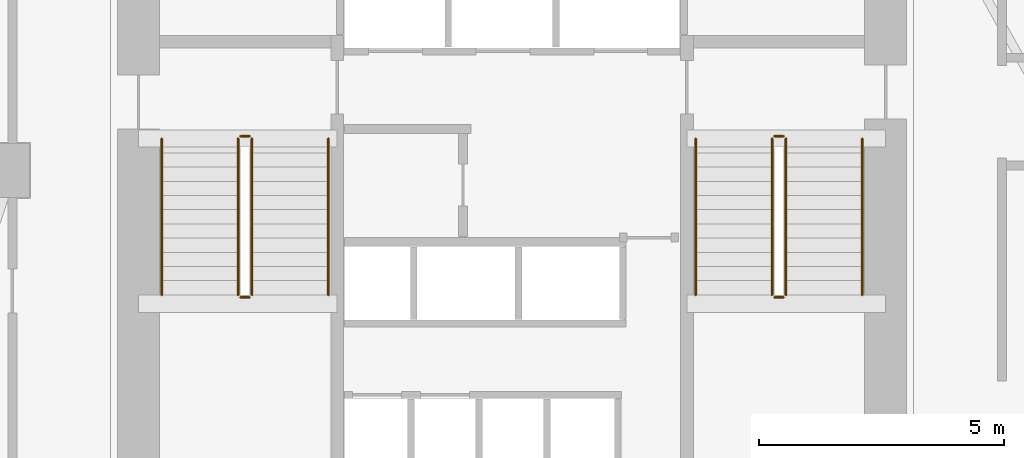
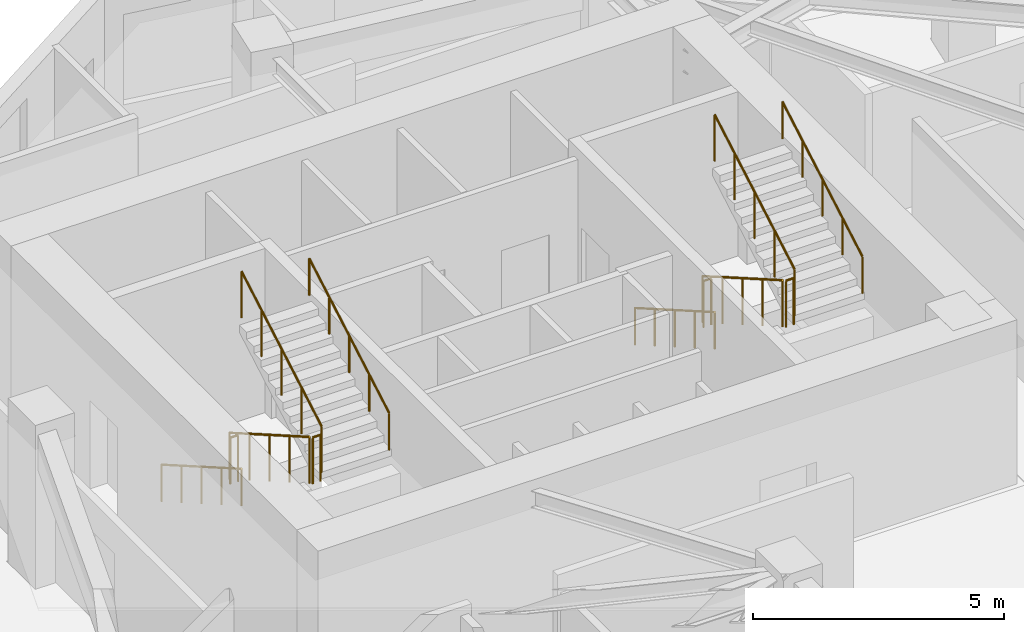
# One storey, part 11 of 12: 12 railings.
"""IFC4 building model written with IfcOpenShell, lengths in metres."""

from ifc_helpers import new_model, si_unit, direction, frame, origin, origin_2d, place, context, subcontext, project, spatial, circle, extrude, material, type_object, element, save


model = new_model("IFC4")

# Units and contexts
model_context = context("Model", 3, precision=1e-05, world=origin(), true_north=direction((0.0, 1.0)))
body_context = subcontext(model_context, "Body", "Model", "MODEL_VIEW")
ifc_project = project(units=[si_unit("LENGTHUNIT", "METRE"), si_unit("AREAUNIT", "SQUARE_METRE"), si_unit("VOLUMEUNIT", "CUBIC_METRE"), si_unit("PLANEANGLEUNIT", "RADIAN"), si_unit("MASSUNIT", "GRAM", prefix="KILO")], contexts=[model_context])

# Site, building, storey
site_placement = place(None, origin())
site = spatial("IfcSite", under=ifc_project, at=site_placement, CompositionType="ELEMENT")
building_placement = place(site_placement, origin())
building = spatial("IfcBuilding", under=site, at=building_placement, Name="Calvemar Wedge Station Tower", CompositionType="ELEMENT")
storey_placement = place(building_placement, frame((0.0, 0.0, 39.0)))
storey = spatial("IfcBuildingStorey", under=building, at=storey_placement, Name="L09", CompositionType="ELEMENT", Elevation=39.0)

# Railings
ifc_material_1 = material(Name="Stainless steel AISI 316L", Category="steel")
railing_type_1 = type_object("IfcRailingType", Name="RL-HANDRAIL-920", PredefinedType="HANDRAIL", material=ifc_material_1)
railing_1_placement = place(storey_placement, frame((16.64990234375, 41.14990234375, 0.166748046875)))
element("IfcRailing", 1, at=railing_1_placement, inside=storey, type_object=railing_type_1, Name="L09 ST-C1 stair handrail 1", PredefinedType="HANDRAIL", context=body_context, shape_type="SweptSolid", body=[
    extrude(circle(Radius=0.02392578125, at=origin_2d()), frame((0.0, 0.0, 0.89599609375), z_axis=(0.0, -0.867019545617, 0.498274128887), x_axis=(1.0, 0.0, 0.0)), (0.0, 0.0, 1.0), 3.67919921875),
    extrude(circle(Radius=0.02099609375, at=origin_2d()), origin(), (0.0, 0.0, 1.0), 0.871826171875),
    extrude(circle(Radius=0.02099609375, at=origin_2d()), frame((0.0, -0.79736328125, 0.458251953125)), (0.0, 0.0, 1.0), 0.871826171875),
    extrude(circle(Radius=0.02099609375, at=origin_2d()), frame((0.0, -1.594970703125, 0.91650390625)), (0.0, 0.0, 1.0), 0.871826171875),
    extrude(circle(Radius=0.02099609375, at=origin_2d()), frame((0.0, -2.392578125, 1.375)), (0.0, 0.0, 1.0), 0.871826171875),
    extrude(circle(Radius=0.02099609375, at=origin_2d()), frame((0.0, -3.18994140625, 1.833251953125)), (0.0, 0.0, 1.0), 0.871826171875),
])
railing_2_placement = place(storey_placement, frame((20.050048828125, 37.9599609375, 2.166748046875)))
element("IfcRailing", 2, at=railing_2_placement, inside=storey, type_object=railing_type_1, Name="L09 ST-C1 stair handrail 2", PredefinedType="HANDRAIL", context=body_context, shape_type="SweptSolid", body=[
    extrude(circle(Radius=0.02392578125, at=origin_2d()), frame((0.0, 0.0, 0.89599609375), z_axis=(0.0, 0.867019545617, 0.498274128887), x_axis=(-1.0, 0.0, 0.0)), (0.0, 0.0, 1.0), 3.67919921875),
    extrude(circle(Radius=0.02099609375, at=origin_2d()), origin(), (0.0, 0.0, 1.0), 0.871826171875),
    extrude(circle(Radius=0.02099609375, at=origin_2d()), frame((0.0, 0.79736328125, 0.458251953125)), (0.0, 0.0, 1.0), 0.871826171875),
    extrude(circle(Radius=0.02099609375, at=origin_2d()), frame((0.0, 1.594970703125, 0.91650390625)), (0.0, 0.0, 1.0), 0.871826171875),
    extrude(circle(Radius=0.02099609375, at=origin_2d()), frame((0.0, 2.392578125, 1.375)), (0.0, 0.0, 1.0), 0.871826171875),
    extrude(circle(Radius=0.02099609375, at=origin_2d()), frame((0.0, 3.18994140625, 1.833251953125)), (0.0, 0.0, 1.0), 0.871826171875),
])
railing_3_placement = place(storey_placement, frame((27.550048828125, 41.14990234375, 0.166748046875)))
element("IfcRailing", 3, at=railing_3_placement, inside=storey, type_object=railing_type_1, Name="L09 ST-C2 stair handrail 1", PredefinedType="HANDRAIL", context=body_context, shape_type="SweptSolid", body=[
    extrude(circle(Radius=0.02392578125, at=origin_2d()), frame((0.0, 0.0, 0.89599609375), z_axis=(0.0, -0.867019545617, 0.498274128887), x_axis=(1.0, 0.0, 0.0)), (0.0, 0.0, 1.0), 3.67919921875),
    extrude(circle(Radius=0.02099609375, at=origin_2d()), origin(), (0.0, 0.0, 1.0), 0.871826171875),
    extrude(circle(Radius=0.02099609375, at=origin_2d()), frame((0.0, -0.79736328125, 0.458251953125)), (0.0, 0.0, 1.0), 0.871826171875),
    extrude(circle(Radius=0.02099609375, at=origin_2d()), frame((0.0, -1.594970703125, 0.91650390625)), (0.0, 0.0, 1.0), 0.871826171875),
    extrude(circle(Radius=0.02099609375, at=origin_2d()), frame((0.0, -2.392578125, 1.375)), (0.0, 0.0, 1.0), 0.871826171875),
    extrude(circle(Radius=0.02099609375, at=origin_2d()), frame((0.0, -3.18994140625, 1.833251953125)), (0.0, 0.0, 1.0), 0.871826171875),
])
railing_4_placement = place(storey_placement, frame((30.949951171875, 37.9599609375, 2.166748046875)))
element("IfcRailing", 4, at=railing_4_placement, inside=storey, type_object=railing_type_1, Name="L09 ST-C2 stair handrail 2", PredefinedType="HANDRAIL", context=body_context, shape_type="SweptSolid", body=[
    extrude(circle(Radius=0.02392578125, at=origin_2d()), frame((0.0, 0.0, 0.89599609375), z_axis=(0.0, 0.867019545617, 0.498274128887), x_axis=(-1.0, 0.0, 0.0)), (0.0, 0.0, 1.0), 3.67919921875),
    extrude(circle(Radius=0.02099609375, at=origin_2d()), origin(), (0.0, 0.0, 1.0), 0.871826171875),
    extrude(circle(Radius=0.02099609375, at=origin_2d()), frame((0.0, 0.79736328125, 0.458251953125)), (0.0, 0.0, 1.0), 0.871826171875),
    extrude(circle(Radius=0.02099609375, at=origin_2d()), frame((0.0, 1.594970703125, 0.91650390625)), (0.0, 0.0, 1.0), 0.871826171875),
    extrude(circle(Radius=0.02099609375, at=origin_2d()), frame((0.0, 2.392578125, 1.375)), (0.0, 0.0, 1.0), 0.871826171875),
    extrude(circle(Radius=0.02099609375, at=origin_2d()), frame((0.0, 3.18994140625, 1.833251953125)), (0.0, 0.0, 1.0), 0.871826171875),
])
ifc_material_2 = material(Name="Painted steel guardrail ASTM A500 Grade C", Category="steel")
railing_type_2 = type_object("IfcRailingType", Name="RL-STAIR-GUARD-1150", PredefinedType="GUARDRAIL", material=ifc_material_2)
railing_5_placement = place(storey_placement, frame((18.2099609375, 41.14990234375, 0.166748046875)))
element("IfcRailing", 5, at=railing_5_placement, inside=storey, type_object=railing_type_2, Name="L09 ST-C1 stair guard 1", PredefinedType="GUARDRAIL", context=body_context, shape_type="SweptSolid", body=[
    extrude(circle(Radius=0.02392578125, at=origin_2d()), frame((0.0, 0.0, 1.1259765625), z_axis=(0.0, -0.867019545617, 0.498274128887), x_axis=(1.0, 0.0, 0.0)), (0.0, 0.0, 1.0), 3.67919921875),
    extrude(circle(Radius=0.02099609375, at=origin_2d()), origin(), (0.0, 0.0, 1.0), 1.101806640625),
    extrude(circle(Radius=0.02099609375, at=origin_2d()), frame((0.0, -0.79736328125, 0.458251953125)), (0.0, 0.0, 1.0), 1.101806640625),
    extrude(circle(Radius=0.02099609375, at=origin_2d()), frame((0.0, -1.594970703125, 0.91650390625)), (0.0, 0.0, 1.0), 1.101806640625),
    extrude(circle(Radius=0.02099609375, at=origin_2d()), frame((0.0, -2.392578125, 1.375)), (0.0, 0.0, 1.0), 1.101806640625),
    extrude(circle(Radius=0.02099609375, at=origin_2d()), frame((0.0, -3.18994140625, 1.833251953125)), (0.0, 0.0, 1.0), 1.101806640625),
])
railing_6_placement = place(storey_placement, frame((18.260009765625, 37.909912109375, 2.0)))
element("IfcRailing", 6, at=railing_6_placement, inside=storey, type_object=railing_type_2, Name="L09 ST-C1 stair guard 2", PredefinedType="GUARDRAIL", context=body_context, shape_type="SweptSolid", body=[
    extrude(circle(Radius=0.02392578125, at=origin_2d()), frame((0.0, 0.0, 1.1259765625), z_axis=(1.0, 0.0, 0.0), x_axis=(0.0, 1.0, 0.0)), (0.0, 0.0, 1.0), 0.179931640625),
    extrude(circle(Radius=0.02099609375, at=origin_2d()), origin(), (0.0, 0.0, 1.0), 1.101806640625),
    extrude(circle(Radius=0.02099609375, at=origin_2d()), frame((0.179931640625, 0.0, 0.0)), (0.0, 0.0, 1.0), 1.101806640625),
])
railing_7_placement = place(storey_placement, frame((18.489990234375, 37.9599609375, 2.166748046875)))
element("IfcRailing", 7, at=railing_7_placement, inside=storey, type_object=railing_type_2, Name="L09 ST-C1 stair guard 3", PredefinedType="GUARDRAIL", context=body_context, shape_type="SweptSolid", body=[
    extrude(circle(Radius=0.02392578125, at=origin_2d()), frame((0.0, 0.0, 1.1259765625), z_axis=(0.0, 0.867019545617, 0.498274128887), x_axis=(-1.0, 0.0, 0.0)), (0.0, 0.0, 1.0), 3.67919921875),
    extrude(circle(Radius=0.02099609375, at=origin_2d()), origin(), (0.0, 0.0, 1.0), 1.101806640625),
    extrude(circle(Radius=0.02099609375, at=origin_2d()), frame((0.0, 0.79736328125, 0.458251953125)), (0.0, 0.0, 1.0), 1.101806640625),
    extrude(circle(Radius=0.02099609375, at=origin_2d()), frame((0.0, 1.594970703125, 0.91650390625)), (0.0, 0.0, 1.0), 1.101806640625),
    extrude(circle(Radius=0.02099609375, at=origin_2d()), frame((0.0, 2.392578125, 1.375)), (0.0, 0.0, 1.0), 1.101806640625),
    extrude(circle(Radius=0.02099609375, at=origin_2d()), frame((0.0, 3.18994140625, 1.833251953125)), (0.0, 0.0, 1.0), 1.101806640625),
])
railing_8_placement = place(storey_placement, frame((18.260009765625, 41.199951171875, 0.0)))
element("IfcRailing", 8, at=railing_8_placement, inside=storey, type_object=railing_type_2, Name="L09 ST-C1 stair guard 4", PredefinedType="GUARDRAIL", context=body_context, shape_type="SweptSolid", body=[
    extrude(circle(Radius=0.02392578125, at=origin_2d()), frame((0.0, 0.0, 1.1259765625), z_axis=(1.0, 0.0, 0.0), x_axis=(0.0, 1.0, 0.0)), (0.0, 0.0, 1.0), 0.179931640625),
    extrude(circle(Radius=0.02099609375, at=origin_2d()), origin(), (0.0, 0.0, 1.0), 1.101806640625),
    extrude(circle(Radius=0.02099609375, at=origin_2d()), frame((0.179931640625, 0.0, 0.0)), (0.0, 0.0, 1.0), 1.101806640625),
])
railing_9_placement = place(storey_placement, frame((29.110107421875, 41.14990234375, 0.166748046875)))
element("IfcRailing", 9, at=railing_9_placement, inside=storey, type_object=railing_type_2, Name="L09 ST-C2 stair guard 1", PredefinedType="GUARDRAIL", context=body_context, shape_type="SweptSolid", body=[
    extrude(circle(Radius=0.02392578125, at=origin_2d()), frame((0.0, 0.0, 1.1259765625), z_axis=(0.0, -0.867019545617, 0.498274128887), x_axis=(1.0, 0.0, 0.0)), (0.0, 0.0, 1.0), 3.67919921875),
    extrude(circle(Radius=0.02099609375, at=origin_2d()), origin(), (0.0, 0.0, 1.0), 1.101806640625),
    extrude(circle(Radius=0.02099609375, at=origin_2d()), frame((0.0, -0.79736328125, 0.458251953125)), (0.0, 0.0, 1.0), 1.101806640625),
    extrude(circle(Radius=0.02099609375, at=origin_2d()), frame((0.0, -1.594970703125, 0.91650390625)), (0.0, 0.0, 1.0), 1.101806640625),
    extrude(circle(Radius=0.02099609375, at=origin_2d()), frame((0.0, -2.392578125, 1.375)), (0.0, 0.0, 1.0), 1.101806640625),
    extrude(circle(Radius=0.02099609375, at=origin_2d()), frame((0.0, -3.18994140625, 1.833251953125)), (0.0, 0.0, 1.0), 1.101806640625),
])
railing_10_placement = place(storey_placement, frame((29.159912109375, 37.909912109375, 2.0)))
element("IfcRailing", 10, at=railing_10_placement, inside=storey, type_object=railing_type_2, Name="L09 ST-C2 stair guard 2", PredefinedType="GUARDRAIL", context=body_context, shape_type="SweptSolid", body=[
    extrude(circle(Radius=0.02392578125, at=origin_2d()), frame((0.0, 0.0, 1.1259765625), z_axis=(1.0, 0.0, 0.0), x_axis=(0.0, 1.0, 0.0)), (0.0, 0.0, 1.0), 0.18017578125),
    extrude(circle(Radius=0.02099609375, at=origin_2d()), origin(), (0.0, 0.0, 1.0), 1.101806640625),
    extrude(circle(Radius=0.02099609375, at=origin_2d()), frame((0.18017578125, 0.0, 0.0)), (0.0, 0.0, 1.0), 1.101806640625),
])
railing_11_placement = place(storey_placement, frame((29.389892578125, 37.9599609375, 2.166748046875)))
element("IfcRailing", 11, at=railing_11_placement, inside=storey, type_object=railing_type_2, Name="L09 ST-C2 stair guard 3", PredefinedType="GUARDRAIL", context=body_context, shape_type="SweptSolid", body=[
    extrude(circle(Radius=0.02392578125, at=origin_2d()), frame((0.0, 0.0, 1.1259765625), z_axis=(0.0, 0.867019545617, 0.498274128887), x_axis=(-1.0, 0.0, 0.0)), (0.0, 0.0, 1.0), 3.67919921875),
    extrude(circle(Radius=0.02099609375, at=origin_2d()), origin(), (0.0, 0.0, 1.0), 1.101806640625),
    extrude(circle(Radius=0.02099609375, at=origin_2d()), frame((0.0, 0.79736328125, 0.458251953125)), (0.0, 0.0, 1.0), 1.101806640625),
    extrude(circle(Radius=0.02099609375, at=origin_2d()), frame((0.0, 1.594970703125, 0.91650390625)), (0.0, 0.0, 1.0), 1.101806640625),
    extrude(circle(Radius=0.02099609375, at=origin_2d()), frame((0.0, 2.392578125, 1.375)), (0.0, 0.0, 1.0), 1.101806640625),
    extrude(circle(Radius=0.02099609375, at=origin_2d()), frame((0.0, 3.18994140625, 1.833251953125)), (0.0, 0.0, 1.0), 1.101806640625),
])
railing_12_placement = place(storey_placement, frame((29.159912109375, 41.199951171875, 0.0)))
element("IfcRailing", 12, at=railing_12_placement, inside=storey, type_object=railing_type_2, Name="L09 ST-C2 stair guard 4", PredefinedType="GUARDRAIL", context=body_context, shape_type="SweptSolid", body=[
    extrude(circle(Radius=0.02392578125, at=origin_2d()), frame((0.0, 0.0, 1.1259765625), z_axis=(1.0, 0.0, 0.0), x_axis=(0.0, 1.0, 0.0)), (0.0, 0.0, 1.0), 0.18017578125),
    extrude(circle(Radius=0.02099609375, at=origin_2d()), origin(), (0.0, 0.0, 1.0), 1.101806640625),
    extrude(circle(Radius=0.02099609375, at=origin_2d()), frame((0.18017578125, 0.0, 0.0)), (0.0, 0.0, 1.0), 1.101806640625),
])

save(model, "model.ifc")
